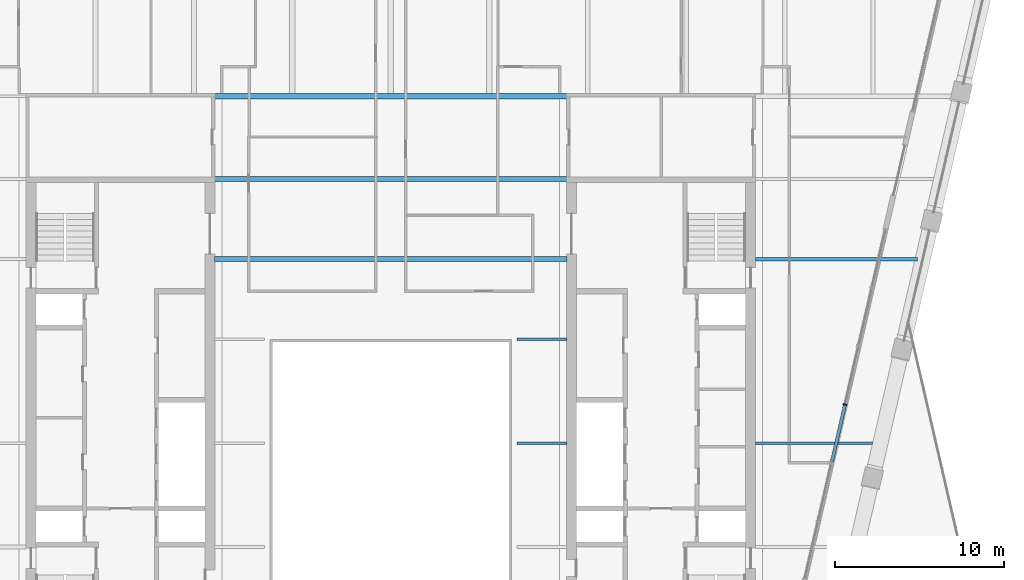
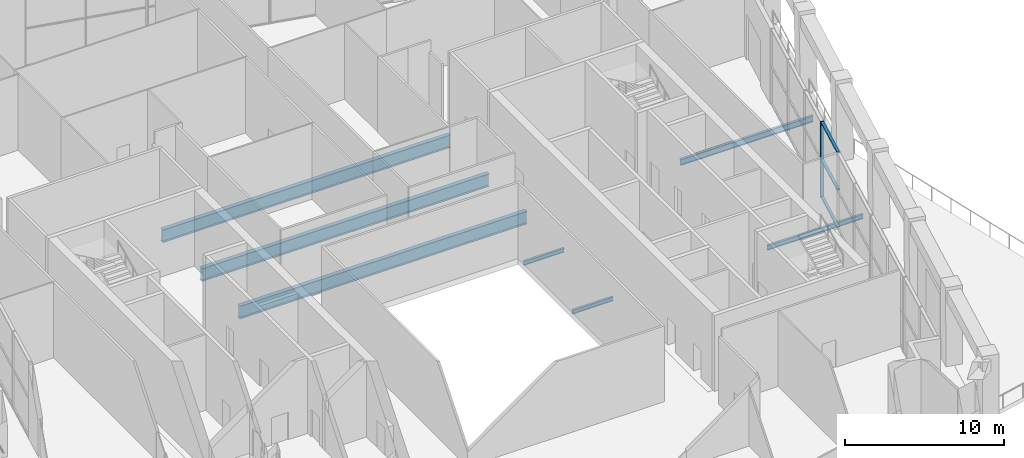
# One storey, part 5 of 21: 7 beams, 4 members, 1 element without a shape of its own.
"""IFC4 building model written with IfcOpenShell, lengths in metres."""

from ifc_helpers import new_model, si_unit, direction, frame, origin, origin_2d, place, context, subcontext, project, spatial, rectangle, i_section, extrude, material, material_profile, profile_set, type_object, element, aggregate, save


model = new_model("IFC4")

# Units and contexts
model_context = context("Model", 3, precision=1e-05, world=origin(), true_north=direction((0.0, 1.0)))
body_context = subcontext(model_context, "Body", "Model", "MODEL_VIEW")
ifc_project = project(units=[si_unit("LENGTHUNIT", "METRE"), si_unit("AREAUNIT", "SQUARE_METRE"), si_unit("VOLUMEUNIT", "CUBIC_METRE"), si_unit("PLANEANGLEUNIT", "RADIAN"), si_unit("MASSUNIT", "GRAM", prefix="KILO")], contexts=[model_context])

# Site, building, storey
site_placement = place(None, origin())
site = spatial("IfcSite", under=ifc_project, at=site_placement, CompositionType="ELEMENT")
building_placement = place(site_placement, origin())
building = spatial("IfcBuilding", under=site, at=building_placement, Name="Ogive Exchange Tower", CompositionType="ELEMENT")
storey_placement = place(building_placement, frame((0.0, 0.0, 237.0)))
storey = spatial("IfcBuildingStorey", under=building, at=storey_placement, Name="L51", CompositionType="ELEMENT", Elevation=237.0)

# Beams
ifc_material_1 = material(Name="Steel ASTM A992 Gr50", Category="steel")
ifc_material_profile_1 = material_profile(ifc_material_1, i_section(OverallWidth=0.300048828125, OverallDepth=0.97998046875, WebThickness=0.0166015625, FlangeThickness=0.026123046875, at=origin_2d()), Name="W1000x249")
ifc_profile_set_1 = profile_set([ifc_material_profile_1], Name="Steel ASTM A992 Gr50")
beam_type_1 = type_object("IfcBeamType", Name="Floor beam W1000x249", PredefinedType="JOIST", material=ifc_profile_set_1)
for number, where, z_axis, x_axis, name in (
    (1, (-10.419921875, 20.89990234375, -0.93994140625), (1.0, 0.0, 0.0), (0.0, 1.0, 0.0), "Floor beam"),
    (2, (-10.419921875, 25.64501953125, -0.93994140625), (1.0, 0.0, 0.0), (0.0, 1.0, 0.0), "Floor beam"),
):
    element("IfcBeam", number, at=place(storey_placement, frame(where, z_axis=z_axis, x_axis=x_axis)), inside=storey, type_object=beam_type_1, Name=name, PredefinedType="JOIST", context=body_context, shape_type="SweptSolid", body=[
        extrude(i_section(OverallWidth=0.300048828125, OverallDepth=0.97998046875, WebThickness=0.0166015625, FlangeThickness=0.026123046875, at=origin_2d()), origin(), (0.0, 0.0, 1.0), 20.83984375),
    ])
ifc_material_profile_2 = material_profile(ifc_material_1, i_section(OverallWidth=0.1650390625, OverallDepth=0.31005859375, WebThickness=0.005859375, FlangeThickness=0.009765625, at=origin_2d()), Name="W310x38.7")
ifc_profile_set_2 = profile_set([ifc_material_profile_2], Name="Steel ASTM A992 Gr50")
beam_type_2 = type_object("IfcBeamType", Name="Floor beam W310x38.7", PredefinedType="JOIST", material=ifc_profile_set_2)
beam_1_placement = place(storey_placement, frame((7.469970703125, 10.006591796875, -0.60498046875), z_axis=(1.0, 0.0, 0.0), x_axis=(0.0, 1.0, 0.0)))
element("IfcBeam", 3, at=beam_1_placement, inside=storey, type_object=beam_type_2, Name="Floor beam", PredefinedType="JOIST", context=body_context, shape_type="SweptSolid", body=[
    extrude(i_section(OverallWidth=0.1650390625, OverallDepth=0.31005859375, WebThickness=0.005859375, FlangeThickness=0.009765625, at=origin_2d()), origin(), (0.0, 0.0, 1.0), 2.949951171875),
])
ifc_material_profile_3 = material_profile(ifc_material_1, i_section(OverallWidth=0.1708984375, OverallDepth=0.35595703125, WebThickness=0.00732421875, FlangeThickness=0.01171875, at=origin_2d()), Name="W360x51")
ifc_profile_set_3 = profile_set([ifc_material_profile_3], Name="Steel ASTM A992 Gr50")
beam_type_3 = type_object("IfcBeamType", Name="Floor beam W360x51", PredefinedType="JOIST", material=ifc_profile_set_3)
beam_2_placement = place(storey_placement, frame((21.580078125, 10.006591796875, -0.6279296875), z_axis=(1.0, 0.0, 0.0), x_axis=(0.0, 1.0, 0.0)))
element("IfcBeam", 4, at=beam_2_placement, inside=storey, type_object=beam_type_3, Name="Floor beam", PredefinedType="JOIST", context=body_context, shape_type="SweptSolid", body=[
    extrude(i_section(OverallWidth=0.1708984375, OverallDepth=0.35595703125, WebThickness=0.00732421875, FlangeThickness=0.01171875, at=origin_2d()), origin(), (0.0, 0.0, 1.0), 6.9404296875),
])
ifc_material_profile_4 = material_profile(ifc_material_1, i_section(OverallWidth=0.19189453125, OverallDepth=0.4619140625, WebThickness=0.010498046875, FlangeThickness=0.017578125, at=origin_2d()), Name="W460x89")
ifc_profile_set_4 = profile_set([ifc_material_profile_4], Name="Steel ASTM A992 Gr50")
beam_type_4 = type_object("IfcBeamType", Name="Floor beam W460x89", PredefinedType="JOIST", material=ifc_profile_set_4)
beam_3_placement = place(storey_placement, frame((21.580078125, 20.89990234375, -0.680908203125), z_axis=(1.0, 0.0, 0.0), x_axis=(0.0, 1.0, 0.0)))
element("IfcBeam", 5, at=beam_3_placement, inside=storey, type_object=beam_type_4, Name="Floor beam", PredefinedType="JOIST", context=body_context, shape_type="SweptSolid", body=[
    extrude(i_section(OverallWidth=0.19189453125, OverallDepth=0.4619140625, WebThickness=0.010498046875, FlangeThickness=0.017578125, at=origin_2d()), origin(), (0.0, 0.0, 1.0), 9.605224609375),
])
ifc_material_profile_5 = material_profile(ifc_material_1, i_section(OverallWidth=0.300048828125, OverallDepth=0.97998046875, WebThickness=0.0166015625, FlangeThickness=0.026123046875, at=origin_2d()), Name="W1000x249")
ifc_profile_set_5 = profile_set([ifc_material_profile_5], Name="Steel ASTM A992 Gr50")
beam_type_5 = type_object("IfcBeamType", Name="Girder W1000x249", PredefinedType="BEAM", material=ifc_profile_set_5)
beam_4_placement = place(storey_placement, frame((-10.419921875, 30.544921875, -0.93994140625), z_axis=(1.0, 0.0, 0.0), x_axis=(0.0, 1.0, 0.0)))
element("IfcBeam", 6, at=beam_4_placement, inside=storey, type_object=beam_type_5, Name="Header girder", PredefinedType="BEAM", context=body_context, shape_type="SweptSolid", body=[
    extrude(i_section(OverallWidth=0.300048828125, OverallDepth=0.97998046875, WebThickness=0.0166015625, FlangeThickness=0.026123046875, at=origin_2d()), origin(), (0.0, 0.0, 1.0), 20.83984375),
])
ifc_material_profile_6 = material_profile(ifc_material_1, i_section(OverallWidth=0.1650390625, OverallDepth=0.31005859375, WebThickness=0.005859375, FlangeThickness=0.009765625, at=origin_2d()), Name="W310x38.7")
ifc_profile_set_6 = profile_set([ifc_material_profile_6], Name="Steel ASTM A992 Gr50")
beam_type_6 = type_object("IfcBeamType", Name="Girder W310x38.7", PredefinedType="BEAM", material=ifc_profile_set_6)
beam_5_placement = place(storey_placement, frame((7.469970703125, 16.155029296875, -0.60498046875), z_axis=(1.0, 0.0, 0.0), x_axis=(0.0, 1.0, 0.0)))
element("IfcBeam", 7, at=beam_5_placement, inside=storey, type_object=beam_type_6, Name="Trimmer girder", PredefinedType="BEAM", context=body_context, shape_type="SweptSolid", body=[
    extrude(i_section(OverallWidth=0.1650390625, OverallDepth=0.31005859375, WebThickness=0.005859375, FlangeThickness=0.009765625, at=origin_2d()), origin(), (0.0, 0.0, 1.0), 2.949951171875),
])

# Curtain wall, members
ifc_material_2 = material(Name="Anodised aluminium and clear glass", Category="aluminium")
curtain_wall_type = type_object("IfcCurtainWallType", Name="Winter garden glazing", PredefinedType="NOTDEFINED", material=ifc_material_2)
curtain_wall_placement = place(storey_placement, origin())
curtain_wall = element("IfcCurtainWall", 8, at=curtain_wall_placement, inside=storey, type_object=curtain_wall_type, Name="Winter garden glazing run G10", PredefinedType="NOTDEFINED")
ifc_material_3 = material(Name="Anodised aluminium", Category="aluminium")
ifc_material_profile_7 = material_profile(ifc_material_3, rectangle(XDim=0.239990234375, YDim=0.080078125, at=origin_2d()), Name="AL 80x240")
ifc_profile_set_7 = profile_set([ifc_material_profile_7], Name="Anodised aluminium")
member_type_1 = type_object("IfcMemberType", Name="Winter garden glazing mullion 80 x 240", PredefinedType="MULLION", material=ifc_profile_set_7)
member_1_placement = place(storey_placement, frame((26.892578125, 12.291259765625, 0.0), z_axis=(0.0, 0.0, 1.0), x_axis=(-0.974368684938, 0.224957031035, 0.0)))
member_1 = element("IfcMember", 9, at=member_1_placement, type_object=member_type_1, Name="G10 mullion 2", PredefinedType="MULLION", context=body_context, shape_type="SweptSolid", body=[
    extrude(rectangle(XDim=0.239990234375, YDim=0.080078125, at=origin_2d()), origin(), (0.0, 0.0, 1.0), 5.800048828125),
])
ifc_material_profile_8 = material_profile(ifc_material_3, rectangle(XDim=0.199951171875, YDim=0.080078125, at=origin_2d()), Name="AL 80x200")
ifc_profile_set_8 = profile_set([ifc_material_profile_8], Name="Anodised aluminium")
member_type_2 = type_object("IfcMemberType", Name="Winter garden glazing transom 80 x 200", PredefinedType="USERDEFINED", material=ifc_profile_set_8)
member_2_placement = place(storey_placement, frame((26.1103515625, 8.9033203125, 0.0400390625), z_axis=(0.224947693018, 0.974370840802, 0.0), x_axis=(-0.974370840802, 0.224947693018, 0.0)))
member_2 = element("IfcMember", 10, at=member_2_placement, type_object=member_type_2, Name="G10 transom 1.1", ObjectType="TRANSOM", PredefinedType="USERDEFINED", context=body_context, shape_type="SweptSolid", body=[
    extrude(rectangle(XDim=0.199951171875, YDim=0.080078125, at=origin_2d()), origin(), (0.0, 0.0, 1.0), 3.437255859375),
])
member_3_placement = place(storey_placement, frame((26.1103515625, 8.9033203125, 2.89990234375), z_axis=(0.224947693018, 0.974370840802, 0.0), x_axis=(-0.974370840802, 0.224947693018, 0.0)))
member_3 = element("IfcMember", 11, at=member_3_placement, type_object=member_type_2, Name="G10 transom 1.2", ObjectType="TRANSOM", PredefinedType="USERDEFINED", context=body_context, shape_type="SweptSolid", body=[
    extrude(rectangle(XDim=0.199951171875, YDim=0.080078125, at=origin_2d()), origin(), (0.0, 0.0, 1.0), 3.437255859375),
])
member_4_placement = place(storey_placement, frame((26.1103515625, 8.9033203125, 5.760009765625), z_axis=(0.224947693018, 0.974370840802, 0.0), x_axis=(-0.974370840802, 0.224947693018, 0.0)))
member_4 = element("IfcMember", 12, at=member_4_placement, type_object=member_type_2, Name="G10 transom 1.3", ObjectType="TRANSOM", PredefinedType="USERDEFINED", context=body_context, shape_type="SweptSolid", body=[
    extrude(rectangle(XDim=0.199951171875, YDim=0.080078125, at=origin_2d()), origin(), (0.0, 0.0, 1.0), 3.437255859375),
])
aggregate(curtain_wall, [member_1, member_2, member_3, member_4])

save(model, "model.ifc")
